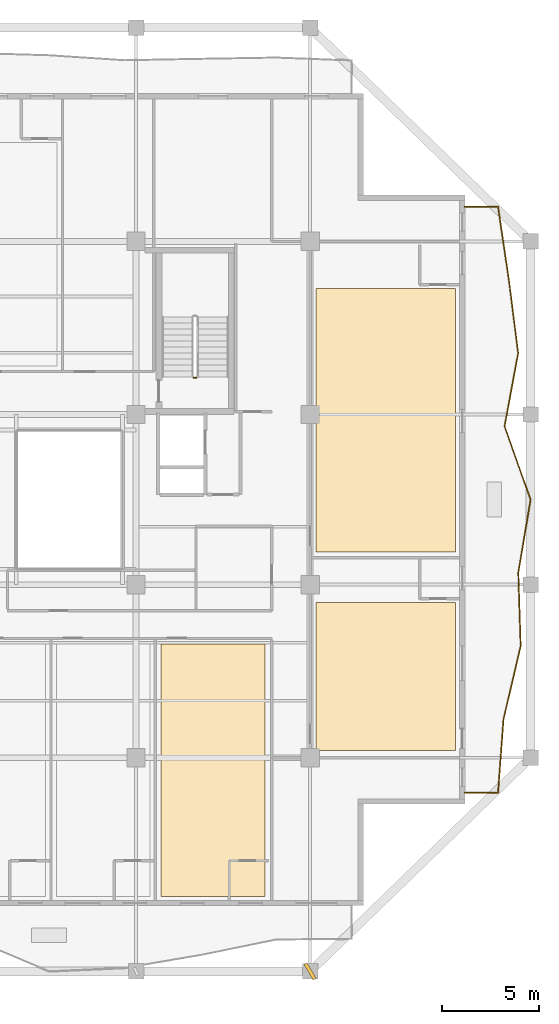
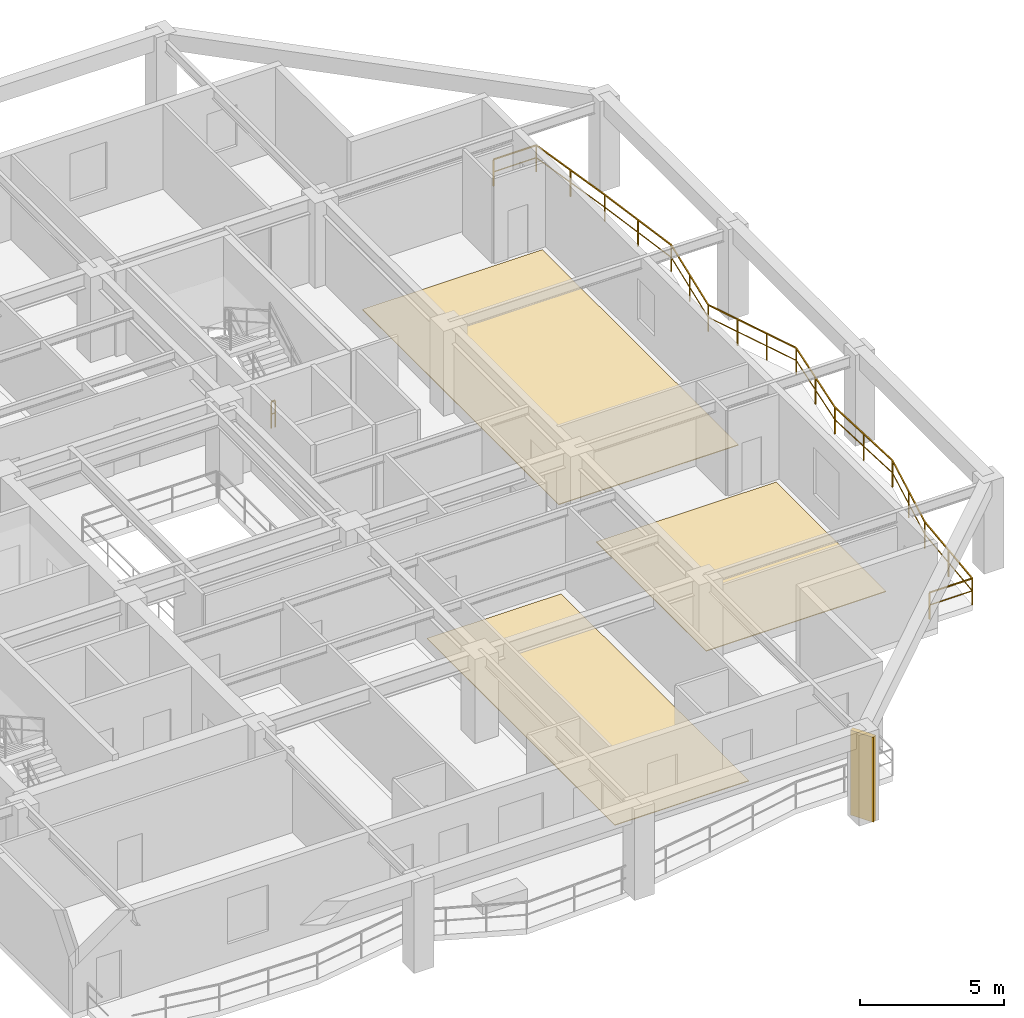
# One storey, part 10 of 12: 3 coverings, 2 railings, 1 shading device.
"""IFC4 building model written with IfcOpenShell, lengths in metres."""

import ifcopenshell
import ifcopenshell.guid

model = None  # the IFC model being written
_history = None  # IfcOwnerHistory: only IFC2X3 demands one
_inside = {}  # id of a spatial element -> (the spatial element, [elements in it])
_under = {}  # id of a project, library or spatial element -> (it, [spatial elements below it])
_declared = {}  # id of a project -> (the project, [libraries it declares])
_typed = {}  # id of a type object -> (the type object, [elements of that type])
_made_of = {}  # id of a material, layer set ... -> (it, [elements and type objects made of it])


def new_model(schema):
    """Start an empty IFC model of exactly this schema.

    Asked for "IFC4X3", IfcOpenShell would pick the latest addendum, in which some entities
    have other attributes; the version numbers below select the first issue.
    IFC2X3 requires an IfcOwnerHistory on every rooted entity: one is made here for all.
    """
    global model, _history
    if schema == "IFC4X3":
        model = ifcopenshell.file(schema_version=(4, 3, 0, 0))
    else:
        model = ifcopenshell.file(schema=schema)
    _inside.clear()
    _under.clear()
    _declared.clear()
    _typed.clear()
    _made_of.clear()
    _history = None
    if model.schema == "IFC2X3":
        org = make("IfcOrganization", Name="unknown")
        user = make(
            "IfcPersonAndOrganization",
            ThePerson=make("IfcPerson", FamilyName="unknown"),
            TheOrganization=org,
        )
        app = make(
            "IfcApplication",
            ApplicationDeveloper=org,
            Version="unknown",
            ApplicationFullName="unknown",
            ApplicationIdentifier="unknown",
        )
        _history = make(
            "IfcOwnerHistory",
            OwningUser=user,
            OwningApplication=app,
            ChangeAction="ADDED",
            CreationDate=0,
        )
    return model


def make(cls, **values):
    """One entity of the class cls with the attributes given. An attribute that is None is left unset."""
    return model.create_entity(
        cls, **{name: value for name, value in values.items() if value is not None}
    )


def rooted(cls, **values):
    """An entity with a GlobalId (a new one), such as an element, a storey or a relation."""
    return make(cls, GlobalId=ifcopenshell.guid.new(), OwnerHistory=_history, **values)


def si_unit(unit_type, name, prefix=None):
    """IfcSIUnit, for example si_unit("LENGTHUNIT", "METRE", prefix="MILLI")."""
    return make("IfcSIUnit", UnitType=unit_type, Prefix=prefix, Name=name)


def assignment(units):
    """IfcUnitAssignment: the units of a project."""
    return None if units is None else make("IfcUnitAssignment", Units=units)


def point(xyz):
    """IfcCartesianPoint."""
    return None if xyz is None else make("IfcCartesianPoint", Coordinates=xyz)


def direction(xyz):
    """IfcDirection."""
    return None if xyz is None else make("IfcDirection", DirectionRatios=xyz)


def frame(location, z_axis=None, x_axis=None):
    """IfcAxis2Placement3D, a coordinate frame: its origin and axes. An axis left out is left unset."""
    return make(
        "IfcAxis2Placement3D",
        Location=point(location),
        Axis=direction(z_axis),
        RefDirection=direction(x_axis),
    )


def frame_2d(location, x_axis=None):
    """IfcAxis2Placement2D, a coordinate frame in the plane: its origin and x axis."""
    return make(
        "IfcAxis2Placement2D", Location=point(location), RefDirection=direction(x_axis)
    )


def origin():
    """The frame at (0, 0, 0) with its axes left unset."""
    return frame((0.0, 0.0, 0.0))


def origin_2d():
    """The frame at (0, 0) in the plane with its x axis left unset."""
    return frame_2d((0.0, 0.0))


def place(relative_to, where):
    """IfcLocalPlacement: puts the frame where relative to a parent placement (None: the world)."""
    return make(
        "IfcLocalPlacement", PlacementRelTo=relative_to, RelativePlacement=where
    )


def context(
    kind, dimensions, precision=None, world=None, true_north=None, identifier=None
):
    """IfcGeometricRepresentationContext, for example the 3D "Model" context."""
    return make(
        "IfcGeometricRepresentationContext",
        ContextIdentifier=identifier,
        ContextType=kind,
        CoordinateSpaceDimension=dimensions,
        Precision=precision,
        WorldCoordinateSystem=world,
        TrueNorth=true_north,
    )


def subcontext(parent, identifier, kind, view, scale=None):
    """IfcGeometricRepresentationSubContext, for example "Body" below "Model"."""
    return make(
        "IfcGeometricRepresentationSubContext",
        ContextIdentifier=identifier,
        ContextType=kind,
        ParentContext=parent,
        TargetScale=scale,
        TargetView=view,
    )


def project(units=None, contexts=None):
    """IfcProject with its units and contexts."""
    return rooted(
        "IfcProject",
        Name="project",
        RepresentationContexts=contexts,
        UnitsInContext=assignment(units),
    )


def spatial(cls, under=None, at=None, **own):
    """A site, building, storey or space (cls), placed at a placement, below another one or the project."""
    s = rooted(cls, ObjectPlacement=at, **own)
    if under is not None:
        _under.setdefault(under.id(), (under, []))[1].append(s)
    return s


def polyline(points):
    """IfcPolyline through the points."""
    return make("IfcPolyline", Points=[point(p) for p in points])


def profile(cls, at=None, kind="AREA", **sizes):
    """A parametric profile (cls). Its sizes go by their IFC names, for example OverallWidth=200.0."""
    return make(cls, ProfileType=kind, Position=at, **sizes)


def rectangle(**sizes):
    """IfcRectangleProfileDef."""
    return profile("IfcRectangleProfileDef", **sizes)


def outline(outer, holes=None, kind="AREA"):
    """IfcArbitraryClosedProfileDef: a profile drawn as a closed curve; with holes, ...WithVoids."""
    if holes is None:
        return make("IfcArbitraryClosedProfileDef", ProfileType=kind, OuterCurve=outer)
    return make(
        "IfcArbitraryProfileDefWithVoids",
        ProfileType=kind,
        OuterCurve=outer,
        InnerCurves=holes,
    )


def extrude(swept, where, along, depth):
    """IfcExtrudedAreaSolid: the profile swept, set in the frame where, extruded along a direction by depth."""
    return make(
        "IfcExtrudedAreaSolid",
        SweptArea=swept,
        Position=where,
        ExtrudedDirection=direction(along),
        Depth=depth,
    )


def shape(context_of_items, identifier, shape_type, items):
    """IfcShapeRepresentation: the items that make up one representation, for example the "Body"."""
    return make(
        "IfcShapeRepresentation",
        ContextOfItems=context_of_items,
        RepresentationIdentifier=identifier,
        RepresentationType=shape_type,
        Items=items,
    )


def material(Name=None, Category=None):
    """IfcMaterial."""
    return make("IfcMaterial", Name=Name, Category=Category)


def layer(
    of_material, thickness, ventilated=None, Name=None, Category=None, Priority=None
):
    """IfcMaterialLayer: one layer of a wall or slab, of a material (None: an air gap)."""
    return make(
        "IfcMaterialLayer",
        Material=of_material,
        LayerThickness=thickness,
        IsVentilated=ventilated,
        Name=Name,
        Category=Category,
        Priority=Priority,
    )


def layer_set(layers, Name=None):
    """IfcMaterialLayerSet."""
    return make("IfcMaterialLayerSet", MaterialLayers=layers, LayerSetName=Name)


def made_of(thing, what):
    """Note that an element or type object is made of a material, layer set ...; save() writes the relation."""
    if what is not None:
        _made_of.setdefault(what.id(), (what, []))[1].append(thing)
    return thing


def type_object(cls, material=None, **own):
    """A type object (cls), such as IfcWallType, which elements share."""
    return made_of(rooted(cls, **own), material)


def element(
    cls,
    number,
    at=None,
    inside=None,
    cuts=None,
    type_object=None,
    material=None,
    context=None,
    identifier="Body",
    shape_type=None,
    held_by="IfcProductDefinitionShape",
    body=None,
    shapes=None,
    **own,
):
    """One element of the class cls, such as IfcWall. Its Tag is "e" and its number.

    at: its placement. inside: the storey or other place that contains it. cuts: it is an
    opening in that element (IfcRelVoidsElement). A single representation is given by context,
    identifier, shape_type and body (its items); several are given by shapes. held_by: the class
    of the entity that holds the representations. save() writes the other relations.
    """
    e = rooted(cls, Tag="e%d" % number, ObjectPlacement=at, **own)
    if body is not None:
        shapes = [shape(context, identifier, shape_type, body)]
    if shapes is not None:
        e.Representation = make(held_by, Representations=shapes)
    if inside is not None:
        _inside.setdefault(inside.id(), (inside, []))[1].append(e)
    if cuts is not None:
        rooted(
            "IfcRelVoidsElement", RelatingBuildingElement=cuts, RelatedOpeningElement=e
        )
    if type_object is not None:
        _typed.setdefault(type_object.id(), (type_object, []))[1].append(e)
    return made_of(e, material)


def aggregate(whole, parts):
    """IfcRelAggregates: a whole, such as a stair, and the parts it consists of."""
    return rooted("IfcRelAggregates", RelatingObject=whole, RelatedObjects=parts)


def save(model, path):
    """Write the relations noted so far, then the file.

    IfcRelAggregates (storeys below a building ...), IfcRelContainedInSpatialStructure (elements
    in a storey), IfcRelDefinesByType, IfcRelAssociatesMaterial and IfcRelDeclares: one each for
    every whole, place, type object, material and project.
    """
    for whole, parts in _under.values():
        aggregate(whole, parts)
    for where, things in _inside.values():
        rooted(
            "IfcRelContainedInSpatialStructure",
            RelatedElements=things,
            RelatingStructure=where,
        )
    for kind, things in _typed.values():
        rooted("IfcRelDefinesByType", RelatedObjects=things, RelatingType=kind)
    for what, things in _made_of.values():
        rooted("IfcRelAssociatesMaterial", RelatedObjects=things, RelatingMaterial=what)
    for by, libraries in _declared.values():
        rooted("IfcRelDeclares", RelatingContext=by, RelatedDefinitions=libraries)
    model.write(path)


model = new_model("IFC4")

# Units and contexts
model_context = context("Model", 3, precision=1e-05, world=origin(), true_north=direction((0.0, 1.0)))
body_context = subcontext(model_context, "Body", "Model", "MODEL_VIEW")
ifc_project = project(units=[si_unit("LENGTHUNIT", "METRE"), si_unit("AREAUNIT", "SQUARE_METRE"), si_unit("VOLUMEUNIT", "CUBIC_METRE"), si_unit("PLANEANGLEUNIT", "RADIAN"), si_unit("MASSUNIT", "GRAM", prefix="KILO")], contexts=[model_context])

# Site, building, storey
site_placement = place(None, origin())
site = spatial("IfcSite", under=ifc_project, at=site_placement, CompositionType="ELEMENT")
building_placement = place(site_placement, origin())
building = spatial("IfcBuilding", under=site, at=building_placement, Name="Kundavana Baori Tower", CompositionType="ELEMENT")
storey_placement = place(building_placement, frame((0.0, 0.0, 173.300048828125)))
storey = spatial("IfcBuildingStorey", under=building, at=storey_placement, Name="L42", CompositionType="ELEMENT", Elevation=173.300048828125)

# Coverings
ifc_material_1 = material(Name="Honed Kota Stone and Terrazzo Flooring", Category="masonry")
ifc_layer = layer(ifc_material_1, 0.030029296875, Name="COV-INT-FLR")
ifc_layer_set = layer_set([ifc_layer], Name="Honed Kota Stone and Terrazzo Flooring")
covering_type = type_object("IfcCoveringType", Name="COV-INT-FLR", PredefinedType="FLOORING", material=ifc_layer_set)
covering_1_placement = place(storey_placement, origin())
element("IfcCovering", 1, at=covering_1_placement, inside=storey, type_object=covering_type, Name="L42 Room Finished Stone Flooring 6", PredefinedType="FLOORING", context=body_context, shape_type="SweptSolid", body=[
    extrude(outline(polyline([(35.080078125, 8.080078125), (40.4599609375, 8.080078125), (40.4599609375, 21.139892578125), (35.080078125, 21.139892578125), (35.080078125, 8.080078125)])), origin(), (0.0, 0.0, 1.0), 0.030029296875),
])
covering_2_placement = place(storey_placement, origin())
element("IfcCovering", 2, at=covering_2_placement, inside=storey, type_object=covering_type, Name="L42 Room Finished Stone Flooring 7", PredefinedType="FLOORING", context=body_context, shape_type="SweptSolid", body=[
    extrude(outline(polyline([(43.10009765625, 15.6298828125), (50.320068359375, 15.6298828125), (50.320068359375, 23.27001953125), (43.10009765625, 23.27001953125), (43.10009765625, 15.6298828125)])), origin(), (0.0, 0.0, 1.0), 0.030029296875),
])
covering_3_placement = place(storey_placement, origin())
element("IfcCovering", 3, at=covering_3_placement, inside=storey, type_object=covering_type, Name="L42 Room Finished Stone Flooring 8", PredefinedType="FLOORING", context=body_context, shape_type="SweptSolid", body=[
    extrude(outline(polyline([(43.10009765625, 25.8798828125), (50.320068359375, 25.8798828125), (50.320068359375, 39.52001953125), (43.10009765625, 39.52001953125), (43.10009765625, 25.8798828125)])), origin(), (0.0, 0.0, 1.0), 0.030029296875),
])

# Railings
ifc_material_2 = material(Name="Architectural Patinated Bronze Metalwork")
railing_type_1 = type_object("IfcRailingType", Name="RL-BAL-1150", PredefinedType="BALUSTRADE", material=ifc_material_2)
railing_1_placement = place(storey_placement, frame((50.800048828125, 43.75, 0.0)))
element("IfcRailing", 4, at=railing_1_placement, inside=storey, type_object=railing_type_1, Name="L42 Loggia Balcony Balustrade E", PredefinedType="BALUSTRADE", context=body_context, shape_type="SweptSolid", body=[
    extrude(rectangle(XDim=0.048095703125, YDim=0.048095703125, at=origin_2d()), frame((0.0, 0.0, 1.1259765625), z_axis=(1.0, 0.0, 0.0), x_axis=(0.0, 1.0, 0.0)), (0.0, 0.0, 1.0), 1.719970703125),
    extrude(rectangle(XDim=0.03125, YDim=0.03125, at=origin_2d()), frame((0.0, 0.0, 0.597900390625), z_axis=(1.0, 0.0, 0.0), x_axis=(0.0, 1.0, 0.0)), (0.0, 0.0, 1.0), 1.719970703125),
    extrude(rectangle(XDim=0.048095703125, YDim=0.048095703125, at=origin_2d()), frame((1.719970703125, 0.0, 1.1259765625), z_axis=(0.146257514117, -0.989246551454, 0.0), x_axis=(0.989246551454, 0.146257514117, 0.0)), (0.0, 0.0, 1.0), 3.829345703125),
    extrude(rectangle(XDim=0.03125, YDim=0.03125, at=origin_2d()), frame((1.719970703125, 0.0, 0.597900390625), z_axis=(0.146257514117, -0.989246551454, 0.0), x_axis=(0.989246551454, 0.146257514117, 0.0)), (0.0, 0.0, 1.0), 3.829345703125),
    extrude(rectangle(XDim=0.048095703125, YDim=0.048095703125, at=origin_2d()), frame((2.280029296875, -3.7880859375, 1.1259765625), z_axis=(0.125994516645, -0.992030937912, 0.0), x_axis=(0.992030937912, 0.125994516645, 0.0)), (0.0, 0.0, 1.0), 3.8173828125),
    extrude(rectangle(XDim=0.03125, YDim=0.03125, at=origin_2d()), frame((2.280029296875, -3.7880859375, 0.597900390625), z_axis=(0.125994516645, -0.992030937912, 0.0), x_axis=(0.992030937912, 0.125994516645, 0.0)), (0.0, 0.0, 1.0), 3.8173828125),
    extrude(rectangle(XDim=0.048095703125, YDim=0.048095703125, at=origin_2d()), frame((2.760986328125, -7.574951171875, 1.1259765625), z_axis=(-0.18229807673, -0.983243312319, 0.0), x_axis=(0.983243312319, -0.18229807673, 0.0)), (0.0, 0.0, 1.0), 3.8515625),
    extrude(rectangle(XDim=0.03125, YDim=0.03125, at=origin_2d()), frame((2.760986328125, -7.574951171875, 0.597900390625), z_axis=(-0.18229807673, -0.983243312319, 0.0), x_axis=(0.983243312319, -0.18229807673, 0.0)), (0.0, 0.0, 1.0), 3.8515625),
    extrude(rectangle(XDim=0.048095703125, YDim=0.048095703125, at=origin_2d()), frame((2.058837890625, -11.362060546875, 1.1259765625), z_axis=(0.333744790945, -0.942663468326, 0.0), x_axis=(0.942663468326, 0.333744790945, 0.0)), (0.0, 0.0, 1.0), 4.018310546875),
    extrude(rectangle(XDim=0.03125, YDim=0.03125, at=origin_2d()), frame((2.058837890625, -11.362060546875, 0.597900390625), z_axis=(0.333744790945, -0.942663468326, 0.0), x_axis=(0.942663468326, 0.333744790945, 0.0)), (0.0, 0.0, 1.0), 4.018310546875),
    extrude(rectangle(XDim=0.048095703125, YDim=0.048095703125, at=origin_2d()), frame((3.39990234375, -15.14990234375, 1.1259765625), z_axis=(-0.164275274401, -0.986414534676, 0.0), x_axis=(0.986414534676, -0.164275274401, 0.0)), (0.0, 0.0, 1.0), 3.84033203125),
    extrude(rectangle(XDim=0.03125, YDim=0.03125, at=origin_2d()), frame((3.39990234375, -15.14990234375, 0.597900390625), z_axis=(-0.164275274401, -0.986414534676, 0.0), x_axis=(0.986414534676, -0.164275274401, 0.0)), (0.0, 0.0, 1.0), 3.84033203125),
    extrude(rectangle(XDim=0.048095703125, YDim=0.048095703125, at=origin_2d()), frame((2.76904296875, -18.93798828125, 1.1259765625), z_axis=(0.032152012133, -0.999482990408, 0.0), x_axis=(0.999482990408, 0.032152012133, 0.0)), (0.0, 0.0, 1.0), 3.7890625),
    extrude(rectangle(XDim=0.03125, YDim=0.03125, at=origin_2d()), frame((2.76904296875, -18.93798828125, 0.597900390625), z_axis=(0.032152012133, -0.999482990408, 0.0), x_axis=(0.999482990408, 0.032152012133, 0.0)), (0.0, 0.0, 1.0), 3.7890625),
    extrude(rectangle(XDim=0.048095703125, YDim=0.048095703125, at=origin_2d()), frame((2.890869140625, -22.72509765625, 1.1259765625), z_axis=(-0.228287078781, -0.97359386279, 0.0), x_axis=(0.97359386279, -0.228287078781, 0.0)), (0.0, 0.0, 1.0), 3.8896484375),
    extrude(rectangle(XDim=0.03125, YDim=0.03125, at=origin_2d()), frame((2.890869140625, -22.72509765625, 0.597900390625), z_axis=(-0.228287078781, -0.97359386279, 0.0), x_axis=(0.97359386279, -0.228287078781, 0.0)), (0.0, 0.0, 1.0), 3.8896484375),
    extrude(rectangle(XDim=0.048095703125, YDim=0.048095703125, at=origin_2d()), frame((2.0029296875, -26.511962890625, 1.1259765625), z_axis=(-0.07448956293, -0.997221793291, 0.0), x_axis=(0.997221793291, -0.07448956293, 0.0)), (0.0, 0.0, 1.0), 3.798583984375),
    extrude(rectangle(XDim=0.03125, YDim=0.03125, at=origin_2d()), frame((2.0029296875, -26.511962890625, 0.597900390625), z_axis=(-0.07448956293, -0.997221793291, 0.0), x_axis=(0.997221793291, -0.07448956293, 0.0)), (0.0, 0.0, 1.0), 3.798583984375),
    extrude(rectangle(XDim=0.048095703125, YDim=0.048095703125, at=origin_2d()), frame((1.719970703125, -30.300048828125, 1.1259765625), z_axis=(-1.0, 0.0, 0.0), x_axis=(0.0, -1.0, 0.0)), (0.0, 0.0, 1.0), 1.719970703125),
    extrude(rectangle(XDim=0.03125, YDim=0.03125, at=origin_2d()), frame((1.719970703125, -30.300048828125, 0.597900390625), z_axis=(-1.0, 0.0, 0.0), x_axis=(0.0, -1.0, 0.0)), (0.0, 0.0, 1.0), 1.719970703125),
    extrude(rectangle(XDim=0.0419921875, YDim=0.0419921875, at=origin_2d()), origin(), (0.0, 0.0, 1.0), 1.101806640625),
    extrude(rectangle(XDim=0.0419921875, YDim=0.0419921875, at=origin_2d()), frame((1.719970703125, 0.0, 0.0)), (0.0, 0.0, 1.0), 1.101806640625),
    extrude(rectangle(XDim=0.0419921875, YDim=0.0419921875, at=origin_2d()), frame((2.0, -1.89404296875, 0.0)), (0.0, 0.0, 1.0), 1.101806640625),
    extrude(rectangle(XDim=0.0419921875, YDim=0.0419921875, at=origin_2d()), frame((2.280029296875, -3.7880859375, 0.0)), (0.0, 0.0, 1.0), 1.101806640625),
    extrude(rectangle(XDim=0.0419921875, YDim=0.0419921875, at=origin_2d()), frame((2.5205078125, -5.681640625, 0.0)), (0.0, 0.0, 1.0), 1.101806640625),
    extrude(rectangle(XDim=0.0419921875, YDim=0.0419921875, at=origin_2d()), frame((2.760986328125, -7.574951171875, 0.0)), (0.0, 0.0, 1.0), 1.101806640625),
    extrude(rectangle(XDim=0.0419921875, YDim=0.0419921875, at=origin_2d()), frame((2.409912109375, -9.468505859375, 0.0)), (0.0, 0.0, 1.0), 1.101806640625),
    extrude(rectangle(XDim=0.0419921875, YDim=0.0419921875, at=origin_2d()), frame((2.058837890625, -11.362060546875, 0.0)), (0.0, 0.0, 1.0), 1.101806640625),
    extrude(rectangle(XDim=0.0419921875, YDim=0.0419921875, at=origin_2d()), frame((2.505859375, -12.624755859375, 0.0)), (0.0, 0.0, 1.0), 1.101806640625),
    extrude(rectangle(XDim=0.0419921875, YDim=0.0419921875, at=origin_2d()), frame((2.952880859375, -13.88720703125, 0.0)), (0.0, 0.0, 1.0), 1.101806640625),
    extrude(rectangle(XDim=0.0419921875, YDim=0.0419921875, at=origin_2d()), frame((3.39990234375, -15.14990234375, 0.0)), (0.0, 0.0, 1.0), 1.101806640625),
    extrude(rectangle(XDim=0.0419921875, YDim=0.0419921875, at=origin_2d()), frame((3.08447265625, -17.0439453125, 0.0)), (0.0, 0.0, 1.0), 1.101806640625),
    extrude(rectangle(XDim=0.0419921875, YDim=0.0419921875, at=origin_2d()), frame((2.76904296875, -18.93798828125, 0.0)), (0.0, 0.0, 1.0), 1.101806640625),
    extrude(rectangle(XDim=0.0419921875, YDim=0.0419921875, at=origin_2d()), frame((2.830078125, -20.83154296875, 0.0)), (0.0, 0.0, 1.0), 1.101806640625),
    extrude(rectangle(XDim=0.0419921875, YDim=0.0419921875, at=origin_2d()), frame((2.890869140625, -22.72509765625, 0.0)), (0.0, 0.0, 1.0), 1.101806640625),
    extrude(rectangle(XDim=0.0419921875, YDim=0.0419921875, at=origin_2d()), frame((2.44677734375, -24.61865234375, 0.0)), (0.0, 0.0, 1.0), 1.101806640625),
    extrude(rectangle(XDim=0.0419921875, YDim=0.0419921875, at=origin_2d()), frame((2.0029296875, -26.511962890625, 0.0)), (0.0, 0.0, 1.0), 1.101806640625),
    extrude(rectangle(XDim=0.0419921875, YDim=0.0419921875, at=origin_2d()), frame((1.861328125, -28.406005859375, 0.0)), (0.0, 0.0, 1.0), 1.101806640625),
    extrude(rectangle(XDim=0.0419921875, YDim=0.0419921875, at=origin_2d()), frame((1.719970703125, -30.300048828125, 0.0)), (0.0, 0.0, 1.0), 1.101806640625),
    extrude(rectangle(XDim=0.0419921875, YDim=0.0419921875, at=origin_2d()), frame((0.0, -30.300048828125, 0.0)), (0.0, 0.0, 1.0), 1.101806640625),
])
ifc_material_3 = material(Name="Architectural Patinated Bronze Metalwork")
railing_type_2 = type_object("IfcRailingType", Name="RL-GRD-1150", PredefinedType="GUARDRAIL", material=ifc_material_3)
railing_2_placement = place(storey_placement, frame((36.929931640625, 34.89990234375, 0.0)))
element("IfcRailing", 5, at=railing_2_placement, inside=storey, type_object=railing_type_2, Name="L42 ST3 stair guard 4", PredefinedType="GUARDRAIL", context=body_context, shape_type="SweptSolid", body=[
    extrude(rectangle(XDim=0.048095703125, YDim=0.048095703125, at=origin_2d()), frame((0.0, 0.0, 1.1259765625), z_axis=(-1.0, 0.0, 0.0), x_axis=(0.0, -1.0, 0.0)), (0.0, 0.0, 1.0), 0.159912109375),
    extrude(rectangle(XDim=0.03125, YDim=0.03125, at=origin_2d()), frame((0.0, 0.0, 0.597900390625), z_axis=(-1.0, 0.0, 0.0), x_axis=(0.0, -1.0, 0.0)), (0.0, 0.0, 1.0), 0.159912109375),
    extrude(rectangle(XDim=0.0419921875, YDim=0.0419921875, at=origin_2d()), origin(), (0.0, 0.0, 1.0), 1.101806640625),
    extrude(rectangle(XDim=0.0419921875, YDim=0.0419921875, at=origin_2d()), frame((-0.159912109375, 0.0, 0.0)), (0.0, 0.0, 1.0), 1.101806640625),
])

# Shading device
ifc_material_4 = material(Name="Red-Buff Dholpur Sandstone Cladding on Concrete C40/50", Category="masonry")
shading_device_type = type_object("IfcShadingDeviceType", Name="SHD-FIN-920", PredefinedType="JALOUSIE", material=ifc_material_4)
shading_device_placement = place(storey_placement, frame((42.800048828125, 4.199951171875, 0.0), z_axis=(0.0, 0.0, 1.0), x_axis=(0.861540565163, 0.507688737887, 0.0)))
element("IfcShadingDevice", 6, at=shading_device_placement, inside=storey, type_object=shading_device_type, Name="L42 Sweeping Dholpur Sandstone Facade Fin 4", PredefinedType="JALOUSIE", context=body_context, shape_type="SweptSolid", body=[
    extrude(rectangle(XDim=0.179931640625, YDim=0.919921875, at=origin_2d()), origin(), (0.0, 0.0, 1.0), 3.60009765625),
])

save(model, "model.ifc")
